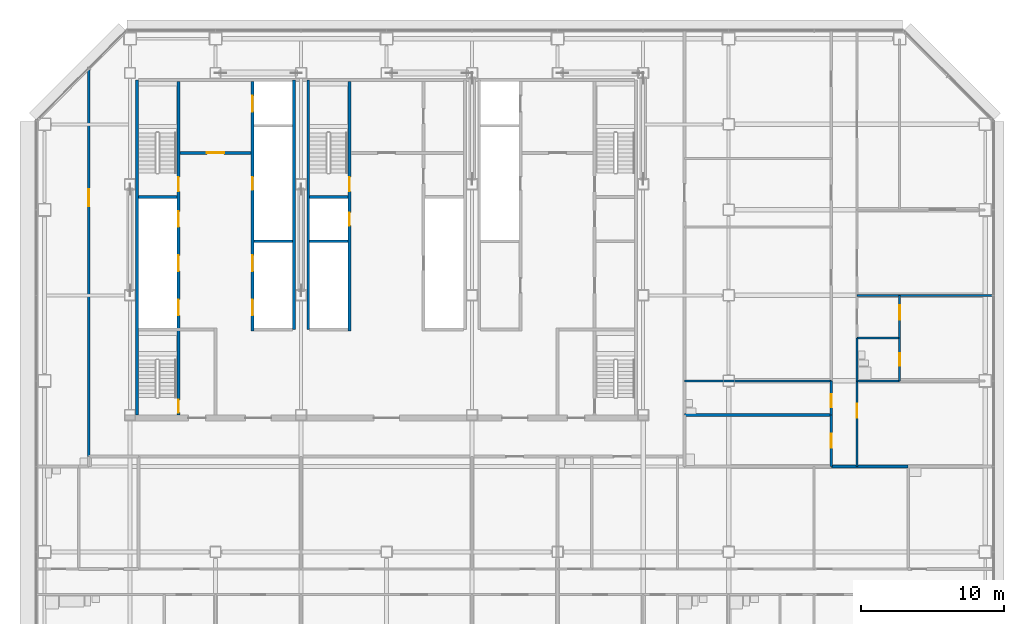
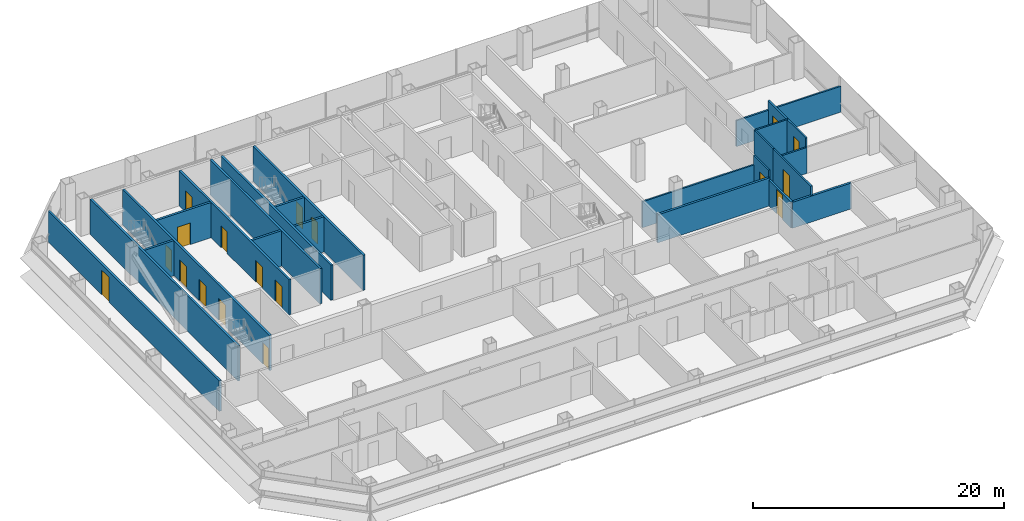
# One storey, part 22 of 27: 24 walls, 18 doors, 18 openings.
"""IFC4 building model written with IfcOpenShell, lengths in metres."""

from ifc_helpers import new_model, si_unit, direction, frame, frame_2d, origin, place, context, subcontext, project, spatial, rectangle, extrude, material, layer, layer_set, type_object, element, fill, save


model = new_model("IFC4")

# Units and contexts
model_context = context("Model", 3, precision=1e-05, world=origin(), true_north=direction((0.0, 1.0)))
body_context = subcontext(model_context, "Body", "Model", "MODEL_VIEW")
ifc_project = project(units=[si_unit("LENGTHUNIT", "METRE"), si_unit("AREAUNIT", "SQUARE_METRE"), si_unit("VOLUMEUNIT", "CUBIC_METRE"), si_unit("PLANEANGLEUNIT", "RADIAN"), si_unit("MASSUNIT", "GRAM", prefix="KILO")], contexts=[model_context])

# Site, building, storey
site_placement = place(None, origin())
site = spatial("IfcSite", under=ifc_project, at=site_placement, CompositionType="ELEMENT")
building_placement = place(site_placement, origin())
building = spatial("IfcBuilding", under=site, at=building_placement, Name="Sorahane Residences", CompositionType="ELEMENT")
storey_placement = place(building_placement, frame((0.0, 0.0, 49.800048828125)))
storey = spatial("IfcBuildingStorey", under=building, at=storey_placement, Name="L08", CompositionType="ELEMENT", Elevation=49.800048828125)

# Walls
ifc_material_1 = material(Name="Concrete C30", Category="concrete")
ifc_layer_1 = layer(ifc_material_1, 0.199951171875)
ifc_layer_set_1 = layer_set([ifc_layer_1], Name="Core face wall 200 EI 180")
wall_type_1 = type_object("IfcWallType", Name="Core face wall 200 EI 180", PredefinedType="SOLIDWALL", material=ifc_layer_set_1)
wall_1_placement = place(storey_placement, frame((6.5, 21.60009765625, 0.0), z_axis=(0.0, 0.0, 1.0), x_axis=(0.0, 1.0, 0.0)))
element("IfcWall", 1, at=wall_1_placement, inside=storey, type_object=wall_type_1, Name="L08 core face wall", PredefinedType="SOLIDWALL", context=body_context, shape_type="SweptSolid", body=[
    extrude(rectangle(XDim=23.5, YDim=0.199951171875, at=frame_2d((11.75, 0.0))), origin(), (0.0, 0.0, 1.0), 3.419921875),
])
for number, where, z_axis, x_axis, name in (
    (2, (17.5, 27.60009765625, 0.0), (0.0, 0.0, 1.0), (0.0, 1.0, 0.0), "L08 core face wall"),
    (3, (18.5, 27.60009765625, 0.0), (0.0, 0.0, 1.0), (0.0, 1.0, 0.0), "L08 core face wall"),
):
    element("IfcWall", number, at=place(storey_placement, frame(where, z_axis=z_axis, x_axis=x_axis)), inside=storey, type_object=wall_type_1, Name=name, PredefinedType="SOLIDWALL", context=body_context, shape_type="SweptSolid", body=[
        extrude(rectangle(XDim=17.5, YDim=0.199951171875, at=frame_2d((8.75, 0.0))), origin(), (0.0, 0.0, 1.0), 3.419921875),
    ])

# Wall, opening, door
ifc_material_2 = material(Name="Concrete blockwork C20 wall", Category="masonry")
ifc_layer_2 = layer(ifc_material_2, 0.199951171875)
ifc_layer_set_2 = layer_set([ifc_layer_2], Name="Corridor wall 200 EI 120")
wall_type_2 = type_object("IfcWallType", Name="Corridor wall 200 EI 120", PredefinedType="SOLIDWALL", material=ifc_layer_set_2)
wall_2_placement = place(storey_placement, frame((3.10009765625, 18.699951171875, 0.0), z_axis=(0.0, 0.0, 1.0), x_axis=(0.0, 1.0, 0.0)))
wall_2 = element("IfcWall", 4, at=wall_2_placement, inside=storey, type_object=wall_type_2, Name="L08 corridor wall", PredefinedType="SOLIDWALL", context=body_context, shape_type="SweptSolid", body=[
    extrude(rectangle(XDim=27.2490234375, YDim=0.199951171875, at=frame_2d((13.62451171875, 0.0))), origin(), (0.0, 0.0, 1.0), 2.969970703125),
])
opening_1_placement = place(wall_2_placement, frame((17.5400390625, 0.0, 0.0)))
opening_1 = element("IfcOpeningElement", 5, at=opening_1_placement, cuts=wall_2, Name="Opening L08-43", PredefinedType="OPENING", context=body_context, shape_type="SweptSolid", body=[
    extrude(rectangle(XDim=1.199951171875, YDim=2.39990234375, at=frame_2d((0.60009765625, 1.199951171875))), frame((0.0, 0.10986328125, 0.0), z_axis=(0.0, -1.0, 0.0), x_axis=(1.0, 0.0, 0.0)), (0.0, 0.0, 1.0), 0.219970703125),
])
ifc_material_3 = material(Name="Steel", Category="steel")
door_type_1 = type_object("IfcDoorType", Name="Lobby door 1200x2400 FD60", OperationType="NOTDEFINED", PredefinedType="DOOR", material=ifc_material_3)
door_1_placement = place(opening_1_placement, origin())
door_1 = element("IfcDoor", 6, at=door_1_placement, inside=storey, type_object=door_type_1, Name="Lobby door L08-43", OperationType="SINGLE_SWING_LEFT", OverallHeight=2.39990234375, OverallWidth=1.199951171875, PredefinedType="DOOR", context=body_context, shape_type="SweptSolid", body=[
    extrude(rectangle(XDim=1.199951171875, YDim=2.39990234375, at=frame_2d((0.60009765625, 1.199951171875))), frame((0.0, 0.02490234375, 0.0), z_axis=(0.0, -1.0, 0.0), x_axis=(1.0, 0.0, 0.0)), (0.0, 0.0, 1.0), 0.050048828125),
])
fill(opening_1, door_1)

ifc_material_4 = material(Name="Concrete C30", Category="concrete")
ifc_layer_3 = layer(ifc_material_4, 0.199951171875)
ifc_layer_set_3 = layer_set([ifc_layer_3], Name="Front room wall 200 EI 120")
wall_type_3 = type_object("IfcWallType", Name="Front room wall 200 EI 120", PredefinedType="PARTITIONING", material=ifc_layer_set_3)
wall_3_placement = place(storey_placement, frame((9.5, 40.0, 0.0), z_axis=(0.0, 0.0, 1.0), x_axis=(1.0, 0.0, 0.0)))
wall_3 = element("IfcWall", 7, at=wall_3_placement, inside=storey, type_object=wall_type_3, Name="L08 front room wall", PredefinedType="PARTITIONING", context=body_context, shape_type="SweptSolid", body=[
    extrude(rectangle(XDim=5.0, YDim=0.199951171875, at=frame_2d((2.5, 0.0))), origin(), (0.0, 0.0, 1.0), 3.419921875),
])
opening_2_placement = place(wall_3_placement, frame((1.89990234375, 0.0, 0.0)))
opening_2 = element("IfcOpeningElement", 8, at=opening_2_placement, cuts=wall_3, Name="Opening L08-C06", PredefinedType="OPENING", context=body_context, shape_type="SweptSolid", body=[
    extrude(rectangle(XDim=1.199951171875, YDim=2.10009765625, at=frame_2d((0.60009765625, 1.050048828125))), frame((0.0, 0.10986328125, 0.0), z_axis=(0.0, -1.0, 0.0), x_axis=(1.0, 0.0, 0.0)), (0.0, 0.0, 1.0), 0.219970703125),
])
ifc_material_5 = material(Name="Steel", Category="steel")
door_type_2 = type_object("IfcDoorType", Name="Front room door 1200x2100 FD120", OperationType="NOTDEFINED", PredefinedType="DOOR", material=ifc_material_5)
door_2_placement = place(opening_2_placement, frame((1.199951171875, 0.0, 0.0), z_axis=(0.0, 0.0, 1.0), x_axis=(-1.0, 0.0, 0.0)))
door_2 = element("IfcDoor", 9, at=door_2_placement, inside=storey, type_object=door_type_2, Name="Front room door Firefighting lobby FF1 front room L08", OperationType="DOUBLE_DOOR_SINGLE_SWING", OverallHeight=2.10009765625, OverallWidth=1.199951171875, PredefinedType="DOOR", context=body_context, shape_type="SweptSolid", body=[
    extrude(rectangle(XDim=1.199951171875, YDim=2.10009765625, at=frame_2d((0.60009765625, 1.050048828125))), frame((0.0, 0.02490234375, 0.0), z_axis=(0.0, -1.0, 0.0), x_axis=(1.0, 0.0, 0.0)), (0.0, 0.0, 1.0), 0.050048828125),
])
fill(opening_2, door_2)

ifc_material_6 = material(Name="Concrete blockwork C20 wall", Category="masonry")
ifc_layer_4 = layer(ifc_material_6, 0.199951171875)
ifc_layer_set_4 = layer_set([ifc_layer_4], Name="Kitchen wall 200 EI 180")
wall_type_4 = type_object("IfcWallType", Name="Kitchen wall 200 EI 180", PredefinedType="SOLIDWALL", material=ifc_layer_set_4)
wall_4_placement = place(storey_placement, frame((55.199951171875, 18.0, 0.0), z_axis=(0.0, 0.0, 1.0), x_axis=(0.0, 1.0, 0.0)))
wall_4 = element("IfcWall", 10, at=wall_4_placement, inside=storey, type_object=wall_type_4, Name="L08 kitchen wall", PredefinedType="SOLIDWALL", context=body_context, shape_type="SweptSolid", body=[
    extrude(rectangle(XDim=3.60009765625, YDim=0.199951171875, at=frame_2d((1.800048828125, 0.0))), origin(), (0.0, 0.0, 1.0), 2.52001953125),
])
opening_3_placement = place(wall_4_placement, frame((1.300048828125, 0.0, 0.0)))
opening_3 = element("IfcOpeningElement", 11, at=opening_3_placement, cuts=wall_4, Name="Opening L08-29", PredefinedType="OPENING", context=body_context, shape_type="SweptSolid", body=[
    extrude(rectangle(XDim=1.0, YDim=2.39990234375, at=frame_2d((0.5, 1.199951171875))), frame((0.0, 0.10986328125, 0.0), z_axis=(0.0, -1.0, 0.0), x_axis=(1.0, 0.0, 0.0)), (0.0, 0.0, 1.0), 0.219970703125),
])
ifc_material_7 = material(Name="Steel", Category="steel")
door_type_3 = type_object("IfcDoorType", Name="Kitchen door 1000x2400 FD120", OperationType="NOTDEFINED", PredefinedType="DOOR", material=ifc_material_7)
door_3_placement = place(opening_3_placement, origin())
door_3 = element("IfcDoor", 12, at=door_3_placement, inside=storey, type_object=door_type_3, Name="Kitchen door L08-29", OperationType="SINGLE_SWING_RIGHT", OverallHeight=2.39990234375, OverallWidth=1.0, PredefinedType="DOOR", context=body_context, shape_type="SweptSolid", body=[
    extrude(rectangle(XDim=1.0, YDim=2.39990234375, at=frame_2d((0.5, 1.199951171875))), frame((0.0, 0.02490234375, 0.0), z_axis=(0.0, -1.0, 0.0), x_axis=(1.0, 0.0, 0.0)), (0.0, 0.0, 1.0), 0.050048828125),
])
fill(opening_3, door_3)

# Wall
wall_5_placement = place(storey_placement, frame((44.89990234375, 21.60009765625, 0.0), z_axis=(0.0, 0.0, 1.0), x_axis=(1.0, 0.0, 0.0)))
element("IfcWall", 13, at=wall_5_placement, inside=storey, type_object=wall_type_4, Name="L08 kitchen wall", PredefinedType="SOLIDWALL", context=body_context, shape_type="SweptSolid", body=[
    extrude(rectangle(XDim=10.300048828125, YDim=0.199951171875, at=frame_2d((5.14990234375, 0.0))), origin(), (0.0, 0.0, 1.0), 2.719970703125),
])

# Wall, openings, doors
ifc_material_8 = material(Name="Concrete C30", Category="concrete")
ifc_layer_5 = layer(ifc_material_8, 0.199951171875)
ifc_layer_set_5 = layer_set([ifc_layer_5], Name="Lift shaft wall 200 EI 120")
wall_type_5 = type_object("IfcWallType", Name="Lift shaft wall 200 EI 120", PredefinedType="SOLIDWALL", material=ifc_layer_set_5)
wall_6_placement = place(storey_placement, frame((14.60009765625, 27.5, 0.0), z_axis=(0.0, 0.0, 1.0), x_axis=(0.0, 1.0, 0.0)))
wall_6 = element("IfcWall", 14, at=wall_6_placement, inside=storey, type_object=wall_type_5, Name="L08 lift shaft wall", PredefinedType="SOLIDWALL", context=body_context, shape_type="SweptSolid", body=[
    extrude(rectangle(XDim=17.5, YDim=0.199951171875, at=frame_2d((8.75, 0.0))), origin(), (0.0, 0.0, 1.0), 3.419921875),
])
opening_4_placement = place(wall_6_placement, frame((1.10009765625, 0.0, 0.0)))
opening_4 = element("IfcOpeningElement", 15, at=opening_4_placement, cuts=wall_6, Name="Opening L08-C10", PredefinedType="OPENING", context=body_context, shape_type="SweptSolid", body=[
    extrude(rectangle(XDim=1.10009765625, YDim=2.10009765625, at=frame_2d((0.550048828125, 1.050048828125))), frame((0.0, 0.10986328125, 0.0), z_axis=(0.0, -1.0, 0.0), x_axis=(1.0, 0.0, 0.0)), (0.0, 0.0, 1.0), 0.219970703125),
])
opening_5_placement = place(wall_6_placement, frame((4.199951171875, 0.0, 0.0)))
opening_5 = element("IfcOpeningElement", 16, at=opening_5_placement, cuts=wall_6, Name="Opening L08-C11", PredefinedType="OPENING", context=body_context, shape_type="SweptSolid", body=[
    extrude(rectangle(XDim=1.10009765625, YDim=2.10009765625, at=frame_2d((0.550048828125, 1.050048828125))), frame((0.0, 0.10986328125, 0.0), z_axis=(0.0, -1.0, 0.0), x_axis=(1.0, 0.0, 0.0)), (0.0, 0.0, 1.0), 0.219970703125),
])
opening_6_placement = place(wall_6_placement, frame((15.39990234375, 0.0, 0.0)))
opening_6 = element("IfcOpeningElement", 17, at=opening_6_placement, cuts=wall_6, Name="Opening L08-C12", PredefinedType="OPENING", context=body_context, shape_type="SweptSolid", body=[
    extrude(rectangle(XDim=1.10009765625, YDim=2.10009765625, at=frame_2d((0.550048828125, 1.050048828125))), frame((0.0, 0.10986328125, 0.0), z_axis=(0.0, -1.0, 0.0), x_axis=(1.0, 0.0, 0.0)), (0.0, 0.0, 1.0), 0.219970703125),
])
opening_7_placement = place(wall_6_placement, frame((9.89990234375, 0.0, 0.0)))
opening_7 = element("IfcOpeningElement", 18, at=opening_7_placement, cuts=wall_6, Name="Opening L08-C24", PredefinedType="OPENING", context=body_context, shape_type="SweptSolid", body=[
    extrude(rectangle(XDim=0.89990234375, YDim=2.10009765625, at=frame_2d((0.449951171875, 1.050048828125))), frame((0.0, 0.10986328125, 0.0), z_axis=(0.0, -1.0, 0.0), x_axis=(1.0, 0.0, 0.0)), (0.0, 0.0, 1.0), 0.219970703125),
])
ifc_material_9 = material(Name="Aluminium and stainless steel", Category="steel")
door_type_4 = type_object("IfcDoorType", Name="Lift landing door 1100x2100 E 60", OperationType="NOTDEFINED", PredefinedType="DOOR", material=ifc_material_9)
door_4_placement = place(opening_4_placement, origin())
door_4 = element("IfcDoor", 19, at=door_4_placement, inside=storey, type_object=door_type_4, Name="Lift landing door LR4 L08", OperationType="DOUBLE_DOOR_SLIDING", OverallHeight=2.10009765625, OverallWidth=1.10009765625, PredefinedType="DOOR", context=body_context, shape_type="SweptSolid", body=[
    extrude(rectangle(XDim=1.10009765625, YDim=2.10009765625, at=frame_2d((0.550048828125, 1.050048828125))), frame((0.0, 0.02490234375, 0.0), z_axis=(0.0, -1.0, 0.0), x_axis=(1.0, 0.0, 0.0)), (0.0, 0.0, 1.0), 0.050048828125),
])
fill(opening_4, door_4)
door_5_placement = place(opening_5_placement, origin())
door_5 = element("IfcDoor", 20, at=door_5_placement, inside=storey, type_object=door_type_4, Name="Lift landing door LR5 L08", OperationType="DOUBLE_DOOR_SLIDING", OverallHeight=2.10009765625, OverallWidth=1.10009765625, PredefinedType="DOOR", context=body_context, shape_type="SweptSolid", body=[
    extrude(rectangle(XDim=1.10009765625, YDim=2.10009765625, at=frame_2d((0.550048828125, 1.050048828125))), frame((0.0, 0.02490234375, 0.0), z_axis=(0.0, -1.0, 0.0), x_axis=(1.0, 0.0, 0.0)), (0.0, 0.0, 1.0), 0.050048828125),
])
fill(opening_5, door_5)
door_6_placement = place(opening_6_placement, origin())
door_6 = element("IfcDoor", 21, at=door_6_placement, inside=storey, type_object=door_type_4, Name="Lift landing door FF1 L08", OperationType="DOUBLE_DOOR_SLIDING", OverallHeight=2.10009765625, OverallWidth=1.10009765625, PredefinedType="DOOR", context=body_context, shape_type="SweptSolid", body=[
    extrude(rectangle(XDim=1.10009765625, YDim=2.10009765625, at=frame_2d((0.550048828125, 1.050048828125))), frame((0.0, 0.02490234375, 0.0), z_axis=(0.0, -1.0, 0.0), x_axis=(1.0, 0.0, 0.0)), (0.0, 0.0, 1.0), 0.050048828125),
])
fill(opening_6, door_6)
ifc_material_10 = material(Name="Steel", Category="steel")
door_type_5 = type_object("IfcDoorType", Name="Riser door 900x2100 FD120", OperationType="NOTDEFINED", PredefinedType="DOOR", material=ifc_material_10)
door_7_placement = place(opening_7_placement, origin())
door_7 = element("IfcDoor", 22, at=door_7_placement, inside=storey, type_object=door_type_5, Name="Riser door R1 L08", OperationType="SINGLE_SWING_LEFT", OverallHeight=2.10009765625, OverallWidth=0.89990234375, PredefinedType="DOOR", context=body_context, shape_type="SweptSolid", body=[
    extrude(rectangle(XDim=0.89990234375, YDim=2.10009765625, at=frame_2d((0.449951171875, 1.050048828125))), frame((0.0, 0.02490234375, 0.0), z_axis=(0.0, -1.0, 0.0), x_axis=(1.0, 0.0, 0.0)), (0.0, 0.0, 1.0), 0.050048828125),
])
fill(opening_7, door_7)

# Walls
for number, where, z_axis, x_axis, name in (
    (23, (14.699951171875, 33.800048828125, 0.0), (0.0, 0.0, 1.0), (1.0, 0.0, 0.0), "L08 lift shaft wall"),
    (24, (18.60009765625, 33.800048828125, 0.0), (0.0, 0.0, 1.0), (1.0, 0.0, 0.0), "L08 lift shaft wall"),
):
    element("IfcWall", number, at=place(storey_placement, frame(where, z_axis=z_axis, x_axis=x_axis)), inside=storey, type_object=wall_type_5, Name=name, PredefinedType="SOLIDWALL", context=body_context, shape_type="SweptSolid", body=[
        extrude(rectangle(XDim=2.699951171875, YDim=0.199951171875, at=frame_2d((1.35009765625, 0.0))), origin(), (0.0, 0.0, 1.0), 3.419921875),
    ])

# Wall, opening, door
ifc_material_11 = material(Name="Gypsum board partition on steel studs", Category="steel")
ifc_layer_6 = layer(ifc_material_11, 0.14990234375)
ifc_layer_set_6 = layer_set([ifc_layer_6], Name="Partition 150 EI 90")
wall_type_6 = type_object("IfcWallType", Name="Partition 150 EI 90", PredefinedType="PARTITIONING", material=ifc_layer_set_6)
wall_7_placement = place(storey_placement, frame((57.0, 18.0, 0.0), z_axis=(0.0, 0.0, 1.0), x_axis=(0.0, 1.0, 0.0)))
wall_7 = element("IfcWall", 25, at=wall_7_placement, inside=storey, type_object=wall_type_6, Name="L08 partition", PredefinedType="PARTITIONING", context=body_context, shape_type="SweptSolid", body=[
    extrude(rectangle(XDim=6.0, YDim=0.14990234375, at=frame_2d((3.0, 0.0))), origin(), (0.0, 0.0, 1.0), 3.419921875),
])
opening_8_placement = place(wall_7_placement, frame((3.39990234375, 0.0, 0.0)))
opening_8 = element("IfcOpeningElement", 26, at=opening_8_placement, cuts=wall_7, Name="Opening L08-33", PredefinedType="OPENING", context=body_context, shape_type="SweptSolid", body=[
    extrude(rectangle(XDim=1.0, YDim=2.39990234375, at=frame_2d((0.5, 1.199951171875))), frame((0.0, 0.0849609375, 0.0), z_axis=(0.0, -1.0, 0.0), x_axis=(1.0, 0.0, 0.0)), (0.0, 0.0, 1.0), 0.169921875),
])
ifc_material_12 = material(Name="Timber veneered fire door", Category="wood")
door_type_6 = type_object("IfcDoorType", Name="Room door 1000x2400 FD30", OperationType="NOTDEFINED", PredefinedType="DOOR", material=ifc_material_12)
door_8_placement = place(opening_8_placement, frame((1.0, 0.0, 0.0), z_axis=(0.0, 0.0, 1.0), x_axis=(-1.0, 0.0, 0.0)))
door_8 = element("IfcDoor", 27, at=door_8_placement, inside=storey, type_object=door_type_6, Name="Room door L08-33", OperationType="SINGLE_SWING_LEFT", OverallHeight=2.39990234375, OverallWidth=1.0, PredefinedType="DOOR", context=body_context, shape_type="SweptSolid", body=[
    extrude(rectangle(XDim=1.0, YDim=2.39990234375, at=frame_2d((0.5, 1.199951171875))), frame((0.0, 0.02490234375, 0.0), z_axis=(0.0, -1.0, 0.0), x_axis=(1.0, 0.0, 0.0)), (0.0, 0.0, 1.0), 0.050048828125),
])
fill(opening_8, door_8)

wall_8_placement = place(storey_placement, frame((60.0, 27.0, 0.0), z_axis=(0.0, 0.0, 1.0), x_axis=(0.0, 1.0, 0.0)))
wall_8 = element("IfcWall", 28, at=wall_8_placement, inside=storey, type_object=wall_type_6, Name="L08 partition", PredefinedType="PARTITIONING", context=body_context, shape_type="SweptSolid", body=[
    extrude(rectangle(XDim=3.0, YDim=0.14990234375, at=frame_2d((1.5, 0.0))), origin(), (0.0, 0.0, 1.0), 3.419921875),
])
opening_9_placement = place(wall_8_placement, frame((1.300048828125, 0.0, 0.0)))
opening_9 = element("IfcOpeningElement", 29, at=opening_9_placement, cuts=wall_8, Name="Opening L08-38", PredefinedType="OPENING", context=body_context, shape_type="SweptSolid", body=[
    extrude(rectangle(XDim=1.0, YDim=2.39990234375, at=frame_2d((0.5, 1.199951171875))), frame((0.0, 0.0849609375, 0.0), z_axis=(0.0, -1.0, 0.0), x_axis=(1.0, 0.0, 0.0)), (0.0, 0.0, 1.0), 0.169921875),
])
door_9_placement = place(opening_9_placement, frame((1.0, 0.0, 0.0), z_axis=(0.0, 0.0, 1.0), x_axis=(-1.0, 0.0, 0.0)))
door_9 = element("IfcDoor", 30, at=door_9_placement, inside=storey, type_object=door_type_6, Name="Room door L08-38", OperationType="SINGLE_SWING_RIGHT", OverallHeight=2.39990234375, OverallWidth=1.0, PredefinedType="DOOR", context=body_context, shape_type="SweptSolid", body=[
    extrude(rectangle(XDim=1.0, YDim=2.39990234375, at=frame_2d((0.5, 1.199951171875))), frame((0.0, 0.02490234375, 0.0), z_axis=(0.0, -1.0, 0.0), x_axis=(1.0, 0.0, 0.0)), (0.0, 0.0, 1.0), 0.050048828125),
])
fill(opening_9, door_9)

# Walls
wall_9_placement = place(storey_placement, frame((57.0, 30.0, 0.0), z_axis=(0.0, 0.0, 1.0), x_axis=(1.0, 0.0, 0.0)))
element("IfcWall", 31, at=wall_9_placement, inside=storey, type_object=wall_type_6, Name="L08 partition", PredefinedType="PARTITIONING", context=body_context, shape_type="SweptSolid", body=[
    extrude(rectangle(XDim=9.60009765625, YDim=0.14990234375, at=frame_2d((4.800048828125, 0.0))), origin(), (0.0, 0.0, 1.0), 2.52001953125),
])
ifc_material_13 = material(Name="Concrete blockwork C20 wall", Category="masonry")
ifc_layer_7 = layer(ifc_material_13, 0.199951171875)
ifc_layer_set_7 = layer_set([ifc_layer_7], Name="Party wall 200 EI 120")
wall_type_7 = type_object("IfcWallType", Name="Party wall 200 EI 120", PredefinedType="SOLIDWALL", material=ifc_layer_set_7)
wall_10_placement = place(storey_placement, frame((55.199951171875, 18.0, 0.0), z_axis=(0.0, 0.0, 1.0), x_axis=(1.0, 0.0, 0.0)))
element("IfcWall", 32, at=wall_10_placement, inside=storey, type_object=wall_type_7, Name="L08 party wall", PredefinedType="SOLIDWALL", context=body_context, shape_type="SweptSolid", body=[
    extrude(rectangle(XDim=5.400146484375, YDim=0.199951171875, at=frame_2d((2.7001953125, 0.0))), origin(), (0.0, 0.0, 1.0), 2.52001953125),
])

# Wall, openings, doors
ifc_material_14 = material(Name="Concrete C30", Category="concrete")
ifc_layer_8 = layer(ifc_material_14, 0.199951171875)
ifc_layer_set_8 = layer_set([ifc_layer_8], Name="Stair enclosure wall 200 EI 120")
wall_type_8 = type_object("IfcWallType", Name="Stair enclosure wall 200 EI 120", PredefinedType="SOLIDWALL", material=ifc_layer_set_8)
wall_11_placement = place(storey_placement, frame((21.39990234375, 27.5, 0.0), z_axis=(0.0, 0.0, 1.0), x_axis=(0.0, 1.0, 0.0)))
wall_11 = element("IfcWall", 33, at=wall_11_placement, inside=storey, type_object=wall_type_8, Name="L08 stair enclosure wall", PredefinedType="SOLIDWALL", context=body_context, shape_type="SweptSolid", body=[
    extrude(rectangle(XDim=17.5, YDim=0.199951171875, at=frame_2d((8.75, 0.0))), origin(), (0.0, 0.0, 1.0), 3.419921875),
])
opening_10_placement = place(wall_11_placement, frame((9.800048828125, 0.0, 0.0)))
opening_10 = element("IfcOpeningElement", 34, at=opening_10_placement, cuts=wall_11, Name="Opening L08-C21", PredefinedType="OPENING", context=body_context, shape_type="SweptSolid", body=[
    extrude(rectangle(XDim=1.0, YDim=2.10009765625, at=frame_2d((0.5, 1.050048828125))), frame((0.0, 0.10986328125, 0.0), z_axis=(0.0, -1.0, 0.0), x_axis=(1.0, 0.0, 0.0)), (0.0, 0.0, 1.0), 0.219970703125),
])
opening_11_placement = place(wall_11_placement, frame((7.39990234375, 0.0, 0.0)))
opening_11 = element("IfcOpeningElement", 35, at=opening_11_placement, cuts=wall_11, Name="Opening L08-C26", PredefinedType="OPENING", context=body_context, shape_type="SweptSolid", body=[
    extrude(rectangle(XDim=0.89990234375, YDim=2.10009765625, at=frame_2d((0.449951171875, 1.050048828125))), frame((0.0, 0.10986328125, 0.0), z_axis=(0.0, -1.0, 0.0), x_axis=(1.0, 0.0, 0.0)), (0.0, 0.0, 1.0), 0.219970703125),
])
door_10_placement = place(opening_11_placement, frame((0.89990234375, 0.0, 0.0), z_axis=(0.0, 0.0, 1.0), x_axis=(-1.0, 0.0, 0.0)))
door_10 = element("IfcDoor", 36, at=door_10_placement, inside=storey, type_object=door_type_5, Name="Riser door R3 L08", OperationType="SINGLE_SWING_LEFT", OverallHeight=2.10009765625, OverallWidth=0.89990234375, PredefinedType="DOOR", context=body_context, shape_type="SweptSolid", body=[
    extrude(rectangle(XDim=0.89990234375, YDim=2.10009765625, at=frame_2d((0.449951171875, 1.050048828125))), frame((0.0, 0.02490234375, 0.0), z_axis=(0.0, -1.0, 0.0), x_axis=(1.0, 0.0, 0.0)), (0.0, 0.0, 1.0), 0.050048828125),
])
fill(opening_11, door_10)
ifc_material_15 = material(Name="Steel", Category="steel")
door_type_7 = type_object("IfcDoorType", Name="Stair door 1000x2100 FD120", OperationType="NOTDEFINED", PredefinedType="DOOR", material=ifc_material_15)
door_11_placement = place(opening_10_placement, origin())
door_11 = element("IfcDoor", 37, at=door_11_placement, inside=storey, type_object=door_type_7, Name="Stair door S3 L08", OperationType="SINGLE_SWING_LEFT", OverallHeight=2.10009765625, OverallWidth=1.0, PredefinedType="DOOR", context=body_context, shape_type="SweptSolid", body=[
    extrude(rectangle(XDim=1.0, YDim=2.10009765625, at=frame_2d((0.5, 1.050048828125))), frame((0.0, 0.02490234375, 0.0), z_axis=(0.0, -1.0, 0.0), x_axis=(1.0, 0.0, 0.0)), (0.0, 0.0, 1.0), 0.050048828125),
])
fill(opening_10, door_11)

wall_12_placement = place(storey_placement, frame((9.39990234375, 21.60009765625, 0.0), z_axis=(0.0, 0.0, 1.0), x_axis=(0.0, 1.0, 0.0)))
wall_12 = element("IfcWall", 38, at=wall_12_placement, inside=storey, type_object=wall_type_8, Name="L08 stair enclosure wall", PredefinedType="SOLIDWALL", context=body_context, shape_type="SweptSolid", body=[
    extrude(rectangle(XDim=23.39990234375, YDim=0.199951171875, at=frame_2d((11.699951171875, 0.0))), origin(), (0.0, 0.0, 1.0), 3.419921875),
])
opening_12_placement = place(wall_12_placement, frame((7.0, 0.0, 0.0)))
opening_12 = element("IfcOpeningElement", 39, at=opening_12_placement, cuts=wall_12, Name="Opening L08-C13", PredefinedType="OPENING", context=body_context, shape_type="SweptSolid", body=[
    extrude(rectangle(XDim=1.10009765625, YDim=2.10009765625, at=frame_2d((0.550048828125, 1.050048828125))), frame((0.0, 0.10986328125, 0.0), z_axis=(0.0, -1.0, 0.0), x_axis=(1.0, 0.0, 0.0)), (0.0, 0.0, 1.0), 0.219970703125),
])
opening_13_placement = place(wall_12_placement, frame((10.10009765625, 0.0, 0.0)))
opening_13 = element("IfcOpeningElement", 40, at=opening_13_placement, cuts=wall_12, Name="Opening L08-C14", PredefinedType="OPENING", context=body_context, shape_type="SweptSolid", body=[
    extrude(rectangle(XDim=1.10009765625, YDim=2.10009765625, at=frame_2d((0.550048828125, 1.050048828125))), frame((0.0, 0.10986328125, 0.0), z_axis=(0.0, -1.0, 0.0), x_axis=(1.0, 0.0, 0.0)), (0.0, 0.0, 1.0), 0.219970703125),
])
opening_14_placement = place(wall_12_placement, frame((13.199951171875, 0.0, 0.0)))
opening_14 = element("IfcOpeningElement", 41, at=opening_14_placement, cuts=wall_12, Name="Opening L08-C15", PredefinedType="OPENING", context=body_context, shape_type="SweptSolid", body=[
    extrude(rectangle(XDim=1.10009765625, YDim=2.10009765625, at=frame_2d((0.550048828125, 1.050048828125))), frame((0.0, 0.10986328125, 0.0), z_axis=(0.0, -1.0, 0.0), x_axis=(1.0, 0.0, 0.0)), (0.0, 0.0, 1.0), 0.219970703125),
])
opening_15_placement = place(wall_12_placement, frame((15.699951171875, 0.0, 0.0)))
opening_15 = element("IfcOpeningElement", 42, at=opening_15_placement, cuts=wall_12, Name="Opening L08-C19", PredefinedType="OPENING", context=body_context, shape_type="SweptSolid", body=[
    extrude(rectangle(XDim=1.0, YDim=2.10009765625, at=frame_2d((0.5, 1.050048828125))), frame((0.0, 0.10986328125, 0.0), z_axis=(0.0, -1.0, 0.0), x_axis=(1.0, 0.0, 0.0)), (0.0, 0.0, 1.0), 0.219970703125),
])
opening_16_placement = place(wall_12_placement, frame((0.175048828125, 0.0, 0.0)))
opening_16 = element("IfcOpeningElement", 43, at=opening_16_placement, cuts=wall_12, Name="Opening L08-C22", PredefinedType="OPENING", context=body_context, shape_type="SweptSolid", body=[
    extrude(rectangle(XDim=0.89990234375, YDim=2.10009765625, at=frame_2d((0.449951171875, 1.050048828125))), frame((0.0, 0.10986328125, 0.0), z_axis=(0.0, -1.0, 0.0), x_axis=(1.0, 0.0, 0.0)), (0.0, 0.0, 1.0), 0.219970703125),
])
door_12_placement = place(opening_12_placement, origin())
door_12 = element("IfcDoor", 44, at=door_12_placement, inside=storey, type_object=door_type_4, Name="Lift landing door LR1 L08", OperationType="DOUBLE_DOOR_SLIDING", OverallHeight=2.10009765625, OverallWidth=1.10009765625, PredefinedType="DOOR", context=body_context, shape_type="SweptSolid", body=[
    extrude(rectangle(XDim=1.10009765625, YDim=2.10009765625, at=frame_2d((0.550048828125, 1.050048828125))), frame((0.0, 0.02490234375, 0.0), z_axis=(0.0, -1.0, 0.0), x_axis=(1.0, 0.0, 0.0)), (0.0, 0.0, 1.0), 0.050048828125),
])
fill(opening_12, door_12)
door_13_placement = place(opening_13_placement, origin())
door_13 = element("IfcDoor", 45, at=door_13_placement, inside=storey, type_object=door_type_4, Name="Lift landing door LR2 L08", OperationType="DOUBLE_DOOR_SLIDING", OverallHeight=2.10009765625, OverallWidth=1.10009765625, PredefinedType="DOOR", context=body_context, shape_type="SweptSolid", body=[
    extrude(rectangle(XDim=1.10009765625, YDim=2.10009765625, at=frame_2d((0.550048828125, 1.050048828125))), frame((0.0, 0.02490234375, 0.0), z_axis=(0.0, -1.0, 0.0), x_axis=(1.0, 0.0, 0.0)), (0.0, 0.0, 1.0), 0.050048828125),
])
fill(opening_13, door_13)
door_14_placement = place(opening_14_placement, origin())
door_14 = element("IfcDoor", 46, at=door_14_placement, inside=storey, type_object=door_type_4, Name="Lift landing door LR3 L08", OperationType="DOUBLE_DOOR_SLIDING", OverallHeight=2.10009765625, OverallWidth=1.10009765625, PredefinedType="DOOR", context=body_context, shape_type="SweptSolid", body=[
    extrude(rectangle(XDim=1.10009765625, YDim=2.10009765625, at=frame_2d((0.550048828125, 1.050048828125))), frame((0.0, 0.02490234375, 0.0), z_axis=(0.0, -1.0, 0.0), x_axis=(1.0, 0.0, 0.0)), (0.0, 0.0, 1.0), 0.050048828125),
])
fill(opening_14, door_14)
door_15_placement = place(opening_15_placement, origin())
door_15 = element("IfcDoor", 47, at=door_15_placement, inside=storey, type_object=door_type_7, Name="Stair door S1 L08", OperationType="SINGLE_SWING_LEFT", OverallHeight=2.10009765625, OverallWidth=1.0, PredefinedType="DOOR", context=body_context, shape_type="SweptSolid", body=[
    extrude(rectangle(XDim=1.0, YDim=2.10009765625, at=frame_2d((0.5, 1.050048828125))), frame((0.0, 0.02490234375, 0.0), z_axis=(0.0, -1.0, 0.0), x_axis=(1.0, 0.0, 0.0)), (0.0, 0.0, 1.0), 0.050048828125),
])
fill(opening_15, door_15)
ifc_material_16 = material(Name="Steel", Category="steel")
door_type_8 = type_object("IfcDoorType", Name="Stair door 900x2100 FD120", OperationType="NOTDEFINED", PredefinedType="DOOR", material=ifc_material_16)
door_16_placement = place(opening_16_placement, origin())
door_16 = element("IfcDoor", 48, at=door_16_placement, inside=storey, type_object=door_type_8, Name="Stair door S4 L08", OperationType="SINGLE_SWING_LEFT", OverallHeight=2.10009765625, OverallWidth=0.89990234375, PredefinedType="DOOR", context=body_context, shape_type="SweptSolid", body=[
    extrude(rectangle(XDim=0.89990234375, YDim=2.10009765625, at=frame_2d((0.449951171875, 1.050048828125))), frame((0.0, 0.02490234375, 0.0), z_axis=(0.0, -1.0, 0.0), x_axis=(1.0, 0.0, 0.0)), (0.0, 0.0, 1.0), 0.050048828125),
])
fill(opening_16, door_16)

# Walls
for number, where, z_axis, x_axis, name in (
    (49, (18.60009765625, 36.89990234375, 0.0), (0.0, 0.0, 1.0), (1.0, 0.0, 0.0), "L08 stair enclosure wall"),
    (50, (6.60009765625, 36.89990234375, 0.0), (0.0, 0.0, 1.0), (1.0, 0.0, 0.0), "L08 stair enclosure wall"),
):
    element("IfcWall", number, at=place(storey_placement, frame(where, z_axis=z_axis, x_axis=x_axis)), inside=storey, type_object=wall_type_8, Name=name, PredefinedType="SOLIDWALL", context=body_context, shape_type="SweptSolid", body=[
        extrude(rectangle(XDim=2.699951171875, YDim=0.199951171875, at=frame_2d((1.35009765625, 0.0))), origin(), (0.0, 0.0, 1.0), 3.419921875),
    ])

# Wall, opening, door
ifc_material_17 = material(Name="Gypsum board partition on steel studs", Category="steel")
ifc_layer_9 = layer(ifc_material_17, 0.14990234375)
ifc_layer_set_9 = layer_set([ifc_layer_9], Name="Wet wall 150 EI 90")
wall_type_9 = type_object("IfcWallType", Name="Wet wall 150 EI 90", PredefinedType="PARTITIONING", material=ifc_layer_set_9)
wall_13_placement = place(storey_placement, frame((55.199951171875, 21.60009765625, 0.0), z_axis=(0.0, 0.0, 1.0), x_axis=(0.0, 1.0, 0.0)))
wall_13 = element("IfcWall", 51, at=wall_13_placement, inside=storey, type_object=wall_type_9, Name="L08 wet wall", PredefinedType="PARTITIONING", context=body_context, shape_type="SweptSolid", body=[
    extrude(rectangle(XDim=2.39990234375, YDim=0.14990234375, at=frame_2d((1.199951171875, 0.0))), origin(), (0.0, 0.0, 1.0), 3.419921875),
])
opening_17_placement = place(wall_13_placement, frame((0.550048828125, 0.0, 0.0)))
opening_17 = element("IfcOpeningElement", 52, at=opening_17_placement, cuts=wall_13, Name="Opening L08-30", PredefinedType="OPENING", context=body_context, shape_type="SweptSolid", body=[
    extrude(rectangle(XDim=0.89990234375, YDim=2.39990234375, at=frame_2d((0.449951171875, 1.199951171875))), frame((0.0, 0.0849609375, 0.0), z_axis=(0.0, -1.0, 0.0), x_axis=(1.0, 0.0, 0.0)), (0.0, 0.0, 1.0), 0.169921875),
])
ifc_material_18 = material(Name="Timber veneered fire door", Category="wood")
door_type_9 = type_object("IfcDoorType", Name="Bathroom door 900x2400 FD30", OperationType="NOTDEFINED", PredefinedType="DOOR", material=ifc_material_18)
door_17_placement = place(opening_17_placement, frame((0.89990234375, 0.0, 0.0), z_axis=(0.0, 0.0, 1.0), x_axis=(-1.0, 0.0, 0.0)))
door_17 = element("IfcDoor", 53, at=door_17_placement, inside=storey, type_object=door_type_9, Name="Bathroom door L08-30", OperationType="SINGLE_SWING_RIGHT", OverallHeight=2.39990234375, OverallWidth=0.89990234375, PredefinedType="DOOR", context=body_context, shape_type="SweptSolid", body=[
    extrude(rectangle(XDim=0.89990234375, YDim=2.39990234375, at=frame_2d((0.449951171875, 1.199951171875))), frame((0.0, 0.02490234375, 0.0), z_axis=(0.0, -1.0, 0.0), x_axis=(1.0, 0.0, 0.0)), (0.0, 0.0, 1.0), 0.050048828125),
])
fill(opening_17, door_17)

# Wall
wall_14_placement = place(storey_placement, frame((57.0, 24.0, 0.0), z_axis=(0.0, 0.0, 1.0), x_axis=(0.0, 1.0, 0.0)))
element("IfcWall", 54, at=wall_14_placement, inside=storey, type_object=wall_type_9, Name="L08 wet wall", PredefinedType="PARTITIONING", context=body_context, shape_type="SweptSolid", body=[
    extrude(rectangle(XDim=3.0, YDim=0.14990234375, at=frame_2d((1.5, 0.0))), origin(), (0.0, 0.0, 1.0), 3.419921875),
])

# Wall, opening, door
wall_15_placement = place(storey_placement, frame((60.0, 24.0, 0.0), z_axis=(0.0, 0.0, 1.0), x_axis=(0.0, 1.0, 0.0)))
wall_15 = element("IfcWall", 55, at=wall_15_placement, inside=storey, type_object=wall_type_9, Name="L08 wet wall", PredefinedType="PARTITIONING", context=body_context, shape_type="SweptSolid", body=[
    extrude(rectangle(XDim=3.0, YDim=0.14990234375, at=frame_2d((1.5, 0.0))), origin(), (0.0, 0.0, 1.0), 3.419921875),
])
opening_18_placement = place(wall_15_placement, frame((1.050048828125, 0.0, 0.0)))
opening_18 = element("IfcOpeningElement", 56, at=opening_18_placement, cuts=wall_15, Name="Opening L08-39", PredefinedType="OPENING", context=body_context, shape_type="SweptSolid", body=[
    extrude(rectangle(XDim=0.89990234375, YDim=2.39990234375, at=frame_2d((0.449951171875, 1.199951171875))), frame((0.0, 0.0849609375, 0.0), z_axis=(0.0, -1.0, 0.0), x_axis=(1.0, 0.0, 0.0)), (0.0, 0.0, 1.0), 0.169921875),
])
door_18_placement = place(opening_18_placement, frame((0.89990234375, 0.0, 0.0), z_axis=(0.0, 0.0, 1.0), x_axis=(-1.0, 0.0, 0.0)))
door_18 = element("IfcDoor", 57, at=door_18_placement, inside=storey, type_object=door_type_9, Name="Bathroom door L08-39", OperationType="SINGLE_SWING_RIGHT", OverallHeight=2.39990234375, OverallWidth=0.89990234375, PredefinedType="DOOR", context=body_context, shape_type="SweptSolid", body=[
    extrude(rectangle(XDim=0.89990234375, YDim=2.39990234375, at=frame_2d((0.449951171875, 1.199951171875))), frame((0.0, 0.02490234375, 0.0), z_axis=(0.0, -1.0, 0.0), x_axis=(1.0, 0.0, 0.0)), (0.0, 0.0, 1.0), 0.050048828125),
])
fill(opening_18, door_18)

# Walls
wall_16_placement = place(storey_placement, frame((44.89990234375, 24.0, 0.0), z_axis=(0.0, 0.0, 1.0), x_axis=(1.0, 0.0, 0.0)))
element("IfcWall", 58, at=wall_16_placement, inside=storey, type_object=wall_type_9, Name="L08 wet wall", PredefinedType="PARTITIONING", context=body_context, shape_type="SweptSolid", body=[
    extrude(rectangle(XDim=10.300048828125, YDim=0.14990234375, at=frame_2d((5.14990234375, 0.0))), origin(), (0.0, 0.0, 1.0), 2.52001953125),
])
wall_17_placement = place(storey_placement, frame((57.0, 24.0, 0.0), z_axis=(0.0, 0.0, 1.0), x_axis=(1.0, 0.0, 0.0)))
element("IfcWall", 59, at=wall_17_placement, inside=storey, type_object=wall_type_9, Name="L08 wet wall", PredefinedType="PARTITIONING", context=body_context, shape_type="SweptSolid", body=[
    extrude(rectangle(XDim=3.0, YDim=0.14990234375, at=frame_2d((1.5, 0.0))), origin(), (0.0, 0.0, 1.0), 2.52001953125),
])
wall_18_placement = place(storey_placement, frame((57.0, 27.0, 0.0), z_axis=(0.0, 0.0, 1.0), x_axis=(1.0, 0.0, 0.0)))
element("IfcWall", 60, at=wall_18_placement, inside=storey, type_object=wall_type_9, Name="L08 wet wall", PredefinedType="PARTITIONING", context=body_context, shape_type="SweptSolid", body=[
    extrude(rectangle(XDim=3.0, YDim=0.14990234375, at=frame_2d((1.5, 0.0))), origin(), (0.0, 0.0, 1.0), 3.419921875),
])

save(model, "model.ifc")
